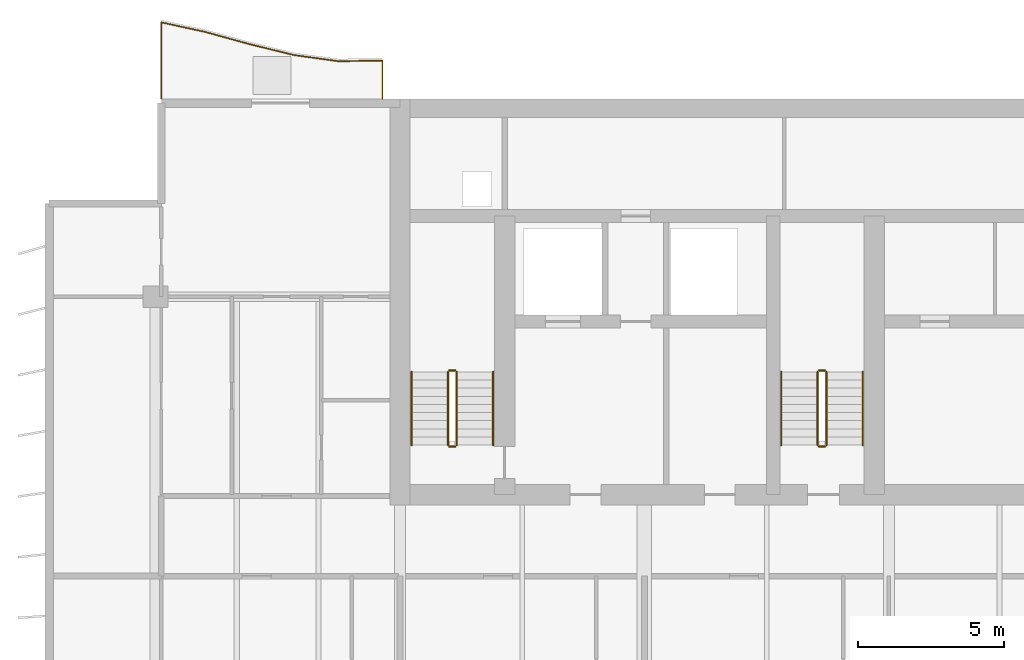
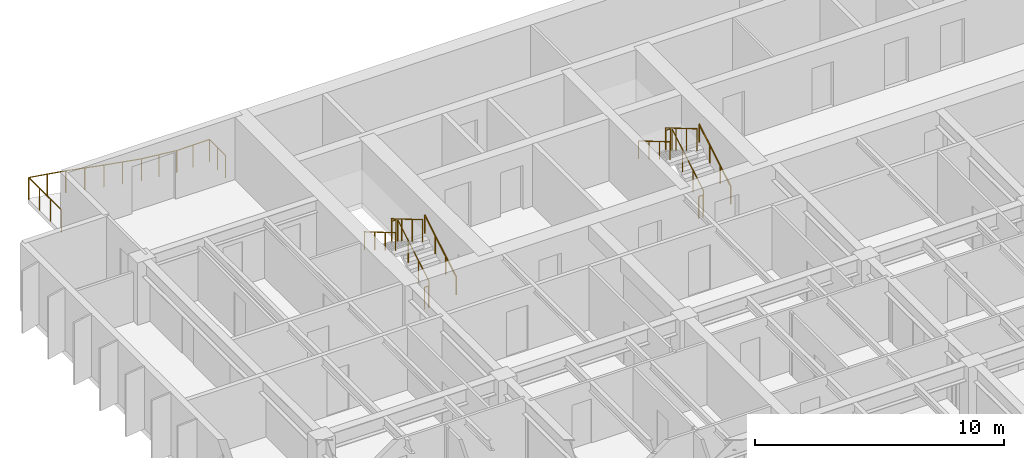
# One storey, part 17 of 19: 13 railings.
"""IFC4 building model written with IfcOpenShell, lengths in metres."""

from ifc_helpers import new_model, si_unit, direction, frame, origin, origin_2d, place, context, subcontext, project, spatial, circle, extrude, material, type_object, element, save


model = new_model("IFC4")

# Units and contexts
model_context = context("Model", 3, precision=1e-05, world=origin(), true_north=direction((0.0, 1.0)))
body_context = subcontext(model_context, "Body", "Model", "MODEL_VIEW")
ifc_project = project(units=[si_unit("LENGTHUNIT", "METRE"), si_unit("AREAUNIT", "SQUARE_METRE"), si_unit("VOLUMEUNIT", "CUBIC_METRE"), si_unit("PLANEANGLEUNIT", "RADIAN"), si_unit("MASSUNIT", "GRAM", prefix="KILO")], contexts=[model_context])

# Site, building, storey
site_placement = place(None, origin())
site = spatial("IfcSite", under=ifc_project, at=site_placement, CompositionType="ELEMENT")
building_placement = place(site_placement, origin())
building = spatial("IfcBuilding", under=site, at=building_placement, Name="Caelmar Bay Residences", CompositionType="ELEMENT")
storey_placement = place(building_placement, frame((0.0, 0.0, 160.5)))
storey = spatial("IfcBuildingStorey", under=building, at=storey_placement, Name="L44", CompositionType="ELEMENT", Elevation=160.5)

# Railings
ifc_material_1 = material(Name="Anodised bronze handrail with laminated hurricane glass infill", Category="glass")
railing_type_1 = type_object("IfcRailingType", Name="RL-BAL-1100", PredefinedType="BALUSTRADE", material=ifc_material_1)
railing_1_placement = place(storey_placement, frame((17.699951171875, 50.60009765625, 0.0)))
element("IfcRailing", 1, at=railing_1_placement, inside=storey, type_object=railing_type_1, Name="L44 north_west Balcony Balustrade", PredefinedType="BALUSTRADE", context=body_context, shape_type="SweptSolid", body=[
    extrude(circle(Radius=0.02392578125, at=origin_2d()), frame((0.0, 0.0, 1.076171875), z_axis=(0.0, 1.0, 0.0), x_axis=(-1.0, 0.0, 0.0)), (0.0, 0.0, 1.0), 1.310302734375),
    extrude(circle(Radius=0.02392578125, at=origin_2d()), frame((0.0, 1.310302734375, 1.076171875), z_axis=(-0.999921532492, -0.012527124885, 0.0), x_axis=(0.012527124885, -0.999921532492, 0.0)), (0.0, 0.0, 1.0), 1.52001953125),
    extrude(circle(Radius=0.02392578125, at=origin_2d()), frame((-1.52001953125, 1.291259765625, 1.076171875), z_axis=(-0.990551196857, 0.137143451926, 0.0), x_axis=(-0.137143451926, -0.990551196857, 0.0)), (0.0, 0.0, 1.0), 1.534423828125),
    extrude(circle(Radius=0.02392578125, at=origin_2d()), frame((-3.0400390625, 1.501708984375, 1.076171875), z_axis=(-0.971143394628, 0.238496346031, 0.0), x_axis=(-0.238496346031, -0.971143394628, 0.0)), (0.0, 0.0, 1.0), 1.565185546875),
    extrude(circle(Radius=0.02392578125, at=origin_2d()), frame((-4.56005859375, 1.875, 1.076171875), z_axis=(-0.964041885028, 0.265750341319, 0.0), x_axis=(-0.265750341319, -0.964041885028, 0.0)), (0.0, 0.0, 1.0), 1.576416015625),
    extrude(circle(Radius=0.02392578125, at=origin_2d()), frame((-6.079833984375, 2.2939453125, 1.076171875), z_axis=(-0.976865202557, 0.2138559703, 0.0), x_axis=(-0.2138559703, -0.976865202557, 0.0)), (0.0, 0.0, 1.0), 1.555908203125),
    extrude(circle(Radius=0.02392578125, at=origin_2d()), frame((-7.599853515625, 2.626708984375, 1.076171875), z_axis=(0.0, -1.0, 0.0), x_axis=(1.0, 0.0, 0.0)), (0.0, 0.0, 1.0), 2.626708984375),
    extrude(circle(Radius=0.02099609375, at=origin_2d()), origin(), (0.0, 0.0, 1.0), 1.052001953125),
    extrude(circle(Radius=0.02099609375, at=origin_2d()), frame((0.0, 0.6552734375, 0.0)), (0.0, 0.0, 1.0), 1.052001953125),
    extrude(circle(Radius=0.02099609375, at=origin_2d()), frame((0.0, 1.310302734375, 0.0)), (0.0, 0.0, 1.0), 1.052001953125),
    extrude(circle(Radius=0.02099609375, at=origin_2d()), frame((-0.760009765625, 1.30078125, 0.0)), (0.0, 0.0, 1.0), 1.052001953125),
    extrude(circle(Radius=0.02099609375, at=origin_2d()), frame((-1.52001953125, 1.291259765625, 0.0)), (0.0, 0.0, 1.0), 1.052001953125),
    extrude(circle(Radius=0.02099609375, at=origin_2d()), frame((-2.280029296875, 1.396484375, 0.0)), (0.0, 0.0, 1.0), 1.052001953125),
    extrude(circle(Radius=0.02099609375, at=origin_2d()), frame((-3.0400390625, 1.501708984375, 0.0)), (0.0, 0.0, 1.0), 1.052001953125),
    extrude(circle(Radius=0.02099609375, at=origin_2d()), frame((-3.800048828125, 1.6884765625, 0.0)), (0.0, 0.0, 1.0), 1.052001953125),
    extrude(circle(Radius=0.02099609375, at=origin_2d()), frame((-4.56005859375, 1.875, 0.0)), (0.0, 0.0, 1.0), 1.052001953125),
    extrude(circle(Radius=0.02099609375, at=origin_2d()), frame((-5.31982421875, 2.08447265625, 0.0)), (0.0, 0.0, 1.0), 1.052001953125),
    extrude(circle(Radius=0.02099609375, at=origin_2d()), frame((-6.079833984375, 2.2939453125, 0.0)), (0.0, 0.0, 1.0), 1.052001953125),
    extrude(circle(Radius=0.02099609375, at=origin_2d()), frame((-6.83984375, 2.46044921875, 0.0)), (0.0, 0.0, 1.0), 1.052001953125),
    extrude(circle(Radius=0.02099609375, at=origin_2d()), frame((-7.599853515625, 2.626708984375, 0.0)), (0.0, 0.0, 1.0), 1.052001953125),
    extrude(circle(Radius=0.02099609375, at=origin_2d()), frame((-7.599853515625, 1.751220703125, 0.0)), (0.0, 0.0, 1.0), 1.052001953125),
    extrude(circle(Radius=0.02099609375, at=origin_2d()), frame((-7.599853515625, 0.87548828125, 0.0)), (0.0, 0.0, 1.0), 1.052001953125),
    extrude(circle(Radius=0.02099609375, at=origin_2d()), frame((-7.599853515625, 0.0, 0.0)), (0.0, 0.0, 1.0), 1.052001953125),
])
ifc_material_2 = material(Name="Painted galvanized steel stair guard 1100 mm", Category="steel")
railing_type_2 = type_object("IfcRailingType", Name="RL-GRD-1100", PredefinedType="GUARDRAIL", material=ifc_material_2)
railing_2_placement = place(storey_placement, frame((20.25, 38.699951171875, 0.1650390625)))
element("IfcRailing", 2, at=railing_2_placement, inside=storey, type_object=railing_type_2, Name="L44 ST1 stair guard 1", PredefinedType="GUARDRAIL", context=body_context, shape_type="SweptSolid", body=[
    extrude(circle(Radius=0.02392578125, at=origin_2d()), frame((0.0, 0.0, 1.076171875), z_axis=(0.0, 0.861560626758, 0.507654692109), x_axis=(-1.0, 0.0, 0.0)), (0.0, 0.0, 1.0), 2.925048828125),
    extrude(circle(Radius=0.02099609375, at=origin_2d()), origin(), (0.0, 0.0, 1.0), 1.052001953125),
    extrude(circle(Radius=0.02099609375, at=origin_2d()), frame((0.0, 0.840087890625, 0.494873046875)), (0.0, 0.0, 1.0), 1.052001953125),
    extrude(circle(Radius=0.02099609375, at=origin_2d()), frame((0.0, 1.679931640625, 0.989990234375)), (0.0, 0.0, 1.0), 1.052001953125),
    extrude(circle(Radius=0.02099609375, at=origin_2d()), frame((0.0, 2.52001953125, 1.48486328125)), (0.0, 0.0, 1.0), 1.052001953125),
])
railing_3_placement = place(storey_placement, frame((20.199951171875, 41.27001953125, 1.64990234375)))
element("IfcRailing", 3, at=railing_3_placement, inside=storey, type_object=railing_type_2, Name="L44 ST1 stair guard 2", PredefinedType="GUARDRAIL", context=body_context, shape_type="SweptSolid", body=[
    extrude(circle(Radius=0.02392578125, at=origin_2d()), frame((0.0, 0.0, 1.076171875), z_axis=(-1.0, 0.0, 0.0), x_axis=(0.0, -1.0, 0.0)), (0.0, 0.0, 1.0), 0.199951171875),
    extrude(circle(Radius=0.02099609375, at=origin_2d()), origin(), (0.0, 0.0, 1.0), 1.052001953125),
    extrude(circle(Radius=0.02099609375, at=origin_2d()), frame((-0.199951171875, 0.0, 0.0)), (0.0, 0.0, 1.0), 1.052001953125),
])
railing_4_placement = place(storey_placement, frame((19.949951171875, 41.219970703125, 1.81494140625)))
element("IfcRailing", 4, at=railing_4_placement, inside=storey, type_object=railing_type_2, Name="L44 ST1 stair guard 3", PredefinedType="GUARDRAIL", context=body_context, shape_type="SweptSolid", body=[
    extrude(circle(Radius=0.02392578125, at=origin_2d()), frame((0.0, 0.0, 1.076171875), z_axis=(0.0, -0.86152411907, 0.507716645641), x_axis=(1.0, 0.0, 0.0)), (0.0, 0.0, 1.0), 2.925048828125),
    extrude(circle(Radius=0.02099609375, at=origin_2d()), origin(), (0.0, 0.0, 1.0), 1.052001953125),
    extrude(circle(Radius=0.02099609375, at=origin_2d()), frame((0.0, -0.840087890625, 0.4951171875)), (0.0, 0.0, 1.0), 1.052001953125),
    extrude(circle(Radius=0.02099609375, at=origin_2d()), frame((0.0, -1.679931640625, 0.989990234375)), (0.0, 0.0, 1.0), 1.052001953125),
    extrude(circle(Radius=0.02099609375, at=origin_2d()), frame((0.0, -2.52001953125, 1.485107421875)), (0.0, 0.0, 1.0), 1.052001953125),
])
railing_5_placement = place(storey_placement, frame((20.199951171875, 38.64990234375, 0.0)))
element("IfcRailing", 5, at=railing_5_placement, inside=storey, type_object=railing_type_2, Name="L44 ST1 stair guard 4", PredefinedType="GUARDRAIL", context=body_context, shape_type="SweptSolid", body=[
    extrude(circle(Radius=0.02392578125, at=origin_2d()), frame((0.0, 0.0, 1.076171875), z_axis=(-1.0, 0.0, 0.0), x_axis=(0.0, -1.0, 0.0)), (0.0, 0.0, 1.0), 0.199951171875),
    extrude(circle(Radius=0.02099609375, at=origin_2d()), origin(), (0.0, 0.0, 1.0), 1.052001953125),
    extrude(circle(Radius=0.02099609375, at=origin_2d()), frame((-0.199951171875, 0.0, 0.0)), (0.0, 0.0, 1.0), 1.052001953125),
])
railing_6_placement = place(storey_placement, frame((32.949951171875, 38.699951171875, 0.1650390625)))
element("IfcRailing", 6, at=railing_6_placement, inside=storey, type_object=railing_type_2, Name="L44 ST3 stair guard 1", PredefinedType="GUARDRAIL", context=body_context, shape_type="SweptSolid", body=[
    extrude(circle(Radius=0.02392578125, at=origin_2d()), frame((0.0, 0.0, 1.076171875), z_axis=(0.0, 0.861560626758, 0.507654692109), x_axis=(-1.0, 0.0, 0.0)), (0.0, 0.0, 1.0), 2.925048828125),
    extrude(circle(Radius=0.02099609375, at=origin_2d()), origin(), (0.0, 0.0, 1.0), 1.052001953125),
    extrude(circle(Radius=0.02099609375, at=origin_2d()), frame((0.0, 0.840087890625, 0.494873046875)), (0.0, 0.0, 1.0), 1.052001953125),
    extrude(circle(Radius=0.02099609375, at=origin_2d()), frame((0.0, 1.679931640625, 0.989990234375)), (0.0, 0.0, 1.0), 1.052001953125),
    extrude(circle(Radius=0.02099609375, at=origin_2d()), frame((0.0, 2.52001953125, 1.48486328125)), (0.0, 0.0, 1.0), 1.052001953125),
])
railing_7_placement = place(storey_placement, frame((32.89990234375, 41.27001953125, 1.64990234375)))
element("IfcRailing", 7, at=railing_7_placement, inside=storey, type_object=railing_type_2, Name="L44 ST3 stair guard 2", PredefinedType="GUARDRAIL", context=body_context, shape_type="SweptSolid", body=[
    extrude(circle(Radius=0.02392578125, at=origin_2d()), frame((0.0, 0.0, 1.076171875), z_axis=(-1.0, 0.0, 0.0), x_axis=(0.0, -1.0, 0.0)), (0.0, 0.0, 1.0), 0.199951171875),
    extrude(circle(Radius=0.02099609375, at=origin_2d()), origin(), (0.0, 0.0, 1.0), 1.052001953125),
    extrude(circle(Radius=0.02099609375, at=origin_2d()), frame((-0.199951171875, 0.0, 0.0)), (0.0, 0.0, 1.0), 1.052001953125),
])
railing_8_placement = place(storey_placement, frame((32.64990234375, 41.219970703125, 1.81494140625)))
element("IfcRailing", 8, at=railing_8_placement, inside=storey, type_object=railing_type_2, Name="L44 ST3 stair guard 3", PredefinedType="GUARDRAIL", context=body_context, shape_type="SweptSolid", body=[
    extrude(circle(Radius=0.02392578125, at=origin_2d()), frame((0.0, 0.0, 1.076171875), z_axis=(0.0, -0.86152411907, 0.507716645641), x_axis=(1.0, 0.0, 0.0)), (0.0, 0.0, 1.0), 2.925048828125),
    extrude(circle(Radius=0.02099609375, at=origin_2d()), origin(), (0.0, 0.0, 1.0), 1.052001953125),
    extrude(circle(Radius=0.02099609375, at=origin_2d()), frame((0.0, -0.840087890625, 0.4951171875)), (0.0, 0.0, 1.0), 1.052001953125),
    extrude(circle(Radius=0.02099609375, at=origin_2d()), frame((0.0, -1.679931640625, 0.989990234375)), (0.0, 0.0, 1.0), 1.052001953125),
    extrude(circle(Radius=0.02099609375, at=origin_2d()), frame((0.0, -2.52001953125, 1.485107421875)), (0.0, 0.0, 1.0), 1.052001953125),
])
railing_9_placement = place(storey_placement, frame((32.89990234375, 38.64990234375, 0.0)))
element("IfcRailing", 9, at=railing_9_placement, inside=storey, type_object=railing_type_2, Name="L44 ST3 stair guard 4", PredefinedType="GUARDRAIL", context=body_context, shape_type="SweptSolid", body=[
    extrude(circle(Radius=0.02392578125, at=origin_2d()), frame((0.0, 0.0, 1.076171875), z_axis=(-1.0, 0.0, 0.0), x_axis=(0.0, -1.0, 0.0)), (0.0, 0.0, 1.0), 0.199951171875),
    extrude(circle(Radius=0.02099609375, at=origin_2d()), origin(), (0.0, 0.0, 1.0), 1.052001953125),
    extrude(circle(Radius=0.02099609375, at=origin_2d()), frame((-0.199951171875, 0.0, 0.0)), (0.0, 0.0, 1.0), 1.052001953125),
])
ifc_material_3 = material(Name="Brushed bronze stainless-steel tubular handrail 900 mm", Category="steel")
railing_type_3 = type_object("IfcRailingType", Name="RL-HND-900", PredefinedType="HANDRAIL", material=ifc_material_3)
railing_10_placement = place(storey_placement, frame((21.5, 38.699951171875, 0.1650390625)))
element("IfcRailing", 10, at=railing_10_placement, inside=storey, type_object=railing_type_3, Name="L44 ST1 stair handrail 1", PredefinedType="HANDRAIL", context=body_context, shape_type="SweptSolid", body=[
    extrude(circle(Radius=0.02392578125, at=origin_2d()), frame((0.0, 0.0, 0.8759765625), z_axis=(0.0, 0.861560626758, 0.507654692109), x_axis=(-1.0, 0.0, 0.0)), (0.0, 0.0, 1.0), 2.925048828125),
    extrude(circle(Radius=0.02099609375, at=origin_2d()), origin(), (0.0, 0.0, 1.0), 0.851806640625),
    extrude(circle(Radius=0.02099609375, at=origin_2d()), frame((0.0, 0.840087890625, 0.494873046875)), (0.0, 0.0, 1.0), 0.851806640625),
    extrude(circle(Radius=0.02099609375, at=origin_2d()), frame((0.0, 1.679931640625, 0.989990234375)), (0.0, 0.0, 1.0), 0.851806640625),
    extrude(circle(Radius=0.02099609375, at=origin_2d()), frame((0.0, 2.52001953125, 1.48486328125)), (0.0, 0.0, 1.0), 0.851806640625),
])
railing_11_placement = place(storey_placement, frame((18.699951171875, 41.219970703125, 1.81494140625)))
element("IfcRailing", 11, at=railing_11_placement, inside=storey, type_object=railing_type_3, Name="L44 ST1 stair handrail 2", PredefinedType="HANDRAIL", context=body_context, shape_type="SweptSolid", body=[
    extrude(circle(Radius=0.02392578125, at=origin_2d()), frame((0.0, 0.0, 0.8759765625), z_axis=(0.0, -0.86152411907, 0.507716645641), x_axis=(1.0, 0.0, 0.0)), (0.0, 0.0, 1.0), 2.925048828125),
    extrude(circle(Radius=0.02099609375, at=origin_2d()), origin(), (0.0, 0.0, 1.0), 0.851806640625),
    extrude(circle(Radius=0.02099609375, at=origin_2d()), frame((0.0, -0.840087890625, 0.4951171875)), (0.0, 0.0, 1.0), 0.851806640625),
    extrude(circle(Radius=0.02099609375, at=origin_2d()), frame((0.0, -1.679931640625, 0.989990234375)), (0.0, 0.0, 1.0), 0.851806640625),
    extrude(circle(Radius=0.02099609375, at=origin_2d()), frame((0.0, -2.52001953125, 1.485107421875)), (0.0, 0.0, 1.0), 0.851806640625),
])
railing_12_placement = place(storey_placement, frame((34.199951171875, 38.699951171875, 0.1650390625)))
element("IfcRailing", 12, at=railing_12_placement, inside=storey, type_object=railing_type_3, Name="L44 ST3 stair handrail 1", PredefinedType="HANDRAIL", context=body_context, shape_type="SweptSolid", body=[
    extrude(circle(Radius=0.02392578125, at=origin_2d()), frame((0.0, 0.0, 0.8759765625), z_axis=(0.0, 0.861560626758, 0.507654692109), x_axis=(-1.0, 0.0, 0.0)), (0.0, 0.0, 1.0), 2.925048828125),
    extrude(circle(Radius=0.02099609375, at=origin_2d()), origin(), (0.0, 0.0, 1.0), 0.851806640625),
    extrude(circle(Radius=0.02099609375, at=origin_2d()), frame((0.0, 0.840087890625, 0.494873046875)), (0.0, 0.0, 1.0), 0.851806640625),
    extrude(circle(Radius=0.02099609375, at=origin_2d()), frame((0.0, 1.679931640625, 0.989990234375)), (0.0, 0.0, 1.0), 0.851806640625),
    extrude(circle(Radius=0.02099609375, at=origin_2d()), frame((0.0, 2.52001953125, 1.48486328125)), (0.0, 0.0, 1.0), 0.851806640625),
])
railing_13_placement = place(storey_placement, frame((31.39990234375, 41.219970703125, 1.81494140625)))
element("IfcRailing", 13, at=railing_13_placement, inside=storey, type_object=railing_type_3, Name="L44 ST3 stair handrail 2", PredefinedType="HANDRAIL", context=body_context, shape_type="SweptSolid", body=[
    extrude(circle(Radius=0.02392578125, at=origin_2d()), frame((0.0, 0.0, 0.8759765625), z_axis=(0.0, -0.86152411907, 0.507716645641), x_axis=(1.0, 0.0, 0.0)), (0.0, 0.0, 1.0), 2.925048828125),
    extrude(circle(Radius=0.02099609375, at=origin_2d()), origin(), (0.0, 0.0, 1.0), 0.851806640625),
    extrude(circle(Radius=0.02099609375, at=origin_2d()), frame((0.0, -0.840087890625, 0.4951171875)), (0.0, 0.0, 1.0), 0.851806640625),
    extrude(circle(Radius=0.02099609375, at=origin_2d()), frame((0.0, -1.679931640625, 0.989990234375)), (0.0, 0.0, 1.0), 0.851806640625),
    extrude(circle(Radius=0.02099609375, at=origin_2d()), frame((0.0, -2.52001953125, 1.485107421875)), (0.0, 0.0, 1.0), 0.851806640625),
])

save(model, "model.ifc")
